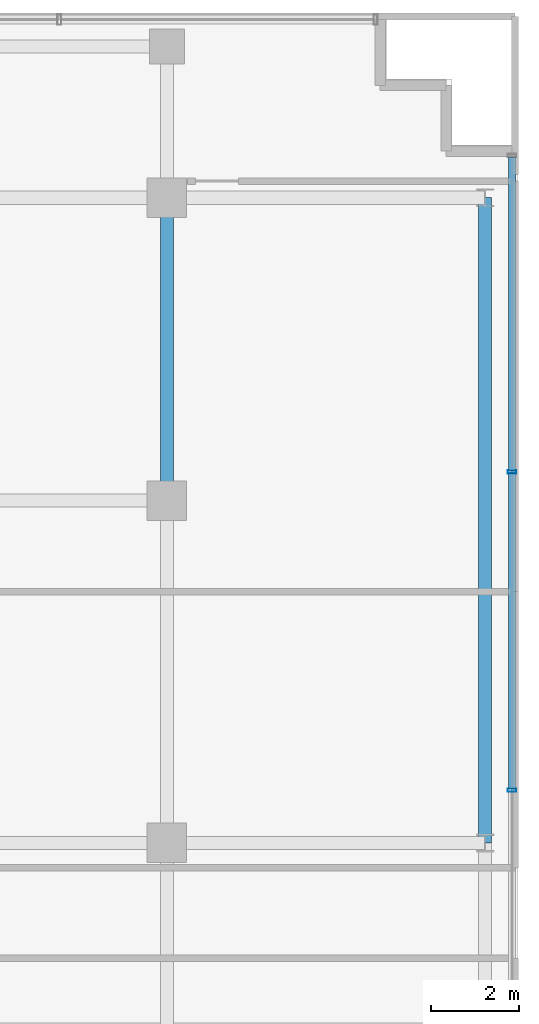
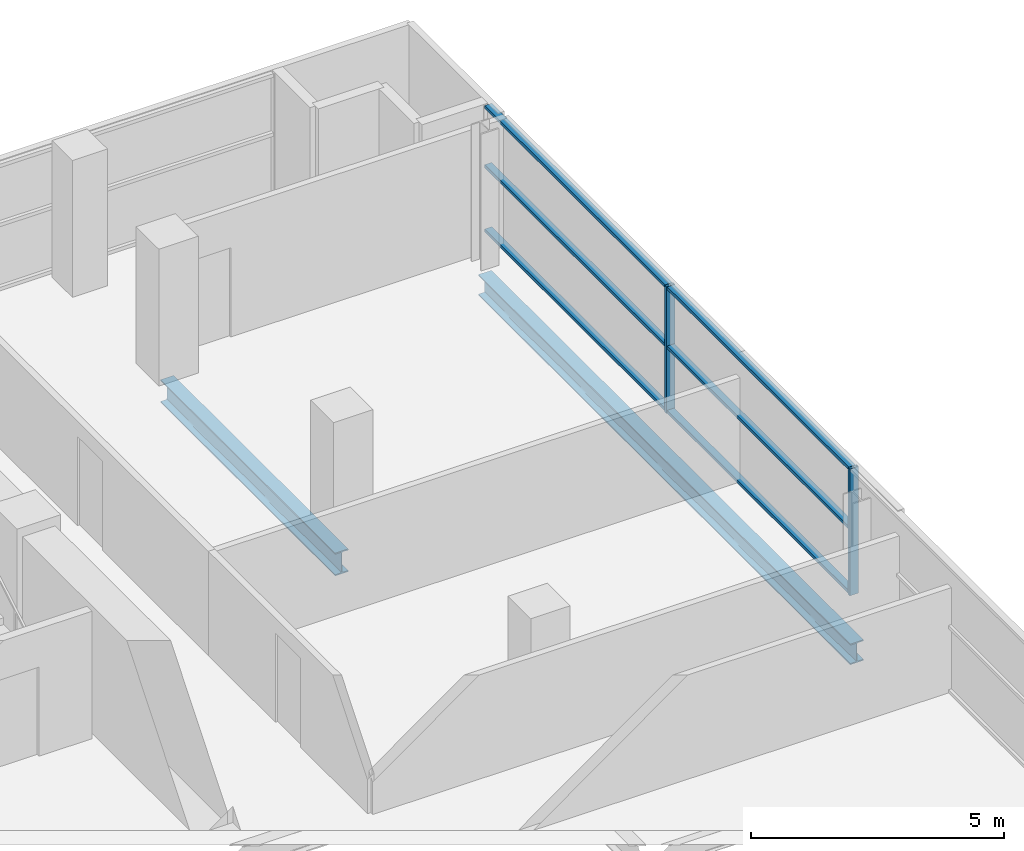
# One storey, part 9 of 23: 8 members, 2 beams, 1 element without a shape of its own.
"""IFC4 building model written with IfcOpenShell, lengths in metres."""

from ifc_helpers import new_model, si_unit, direction, frame, origin, origin_2d, place, context, subcontext, project, spatial, hollow_rectangle, i_section, extrude, source, transform, mapped, material, layer, layer_set, material_profile, profile_set, type_object, element, aggregate, save


model = new_model("IFC4")

# Units and contexts
model_context = context("Model", 3, precision=1e-05, world=origin(), true_north=direction((0.0, 1.0)))
body_context = subcontext(model_context, "Body", "Model", "MODEL_VIEW")
ifc_project = project(units=[si_unit("LENGTHUNIT", "METRE"), si_unit("AREAUNIT", "SQUARE_METRE"), si_unit("VOLUMEUNIT", "CUBIC_METRE"), si_unit("PLANEANGLEUNIT", "RADIAN"), si_unit("MASSUNIT", "GRAM", prefix="KILO")], contexts=[model_context])

# Site, building, storey
site_placement = place(None, origin())
site = spatial("IfcSite", under=ifc_project, at=site_placement, CompositionType="ELEMENT")
building_placement = place(site_placement, origin())
building = spatial("IfcBuilding", under=site, at=building_placement, Name="Zarnakvel Exchange Tower", CompositionType="ELEMENT")
storey_placement = place(building_placement, frame((0.0, 0.0, 116.5)))
storey = spatial("IfcBuildingStorey", under=building, at=storey_placement, Name="L32", CompositionType="ELEMENT", Elevation=116.5)

# Beams
ifc_material_1 = material(Name="Steel S355", Category="steel")
ifc_material_profile_1 = material_profile(ifc_material_1, i_section(OverallWidth=0.300048828125, OverallDepth=0.550048828125, WebThickness=0.014892578125, FlangeThickness=0.029052734375, FilletRadius=0.027099609375, at=origin_2d()))
ifc_profile_set_1 = profile_set([ifc_material_profile_1], Name="Steel S355")
beam_type_1 = type_object("IfcBeamType", Name="G-05", PredefinedType="BEAM", material=ifc_profile_set_1)
beam_1_placement = place(storey_placement, frame((21.60009765625, 6.60009765625, -0.5), z_axis=(0.0, 1.0, 0.0), x_axis=(-1.0, 0.0, 0.0)))
element("IfcBeam", 1, at=beam_1_placement, inside=storey, type_object=beam_type_1, Name="L32 Tower N-S Frame Beam", PredefinedType="BEAM", context=body_context, shape_type="SweptSolid", body=[
    extrude(i_section(OverallWidth=0.300048828125, OverallDepth=0.550048828125, WebThickness=0.014892578125, FlangeThickness=0.029052734375, FilletRadius=0.027099609375, at=origin_2d()), origin(), (0.0, 0.0, 1.0), 6.89990234375),
])
ifc_material_profile_2 = material_profile(ifc_material_1, i_section(OverallWidth=0.300048828125, OverallDepth=0.5, WebThickness=0.014404296875, FlangeThickness=0.028076171875, FilletRadius=0.027099609375, at=origin_2d()))
ifc_profile_set_2 = profile_set([ifc_material_profile_2], Name="Steel S355")
beam_type_2 = type_object("IfcBeamType", Name="SP-02", PredefinedType="SPANDREL", material=ifc_profile_set_2)
beam_2_placement = place(storey_placement, frame((28.85009765625, -1.199951171875, -0.47509765625), z_axis=(0.0, 1.0, 0.0), x_axis=(-1.0, 0.0, 0.0)))
element("IfcBeam", 2, at=beam_2_placement, inside=storey, type_object=beam_type_2, Name="L32 Tower N-S Frame Beam", PredefinedType="SPANDREL", context=body_context, shape_type="SweptSolid", body=[
    extrude(i_section(OverallWidth=0.300048828125, OverallDepth=0.5, WebThickness=0.014404296875, FlangeThickness=0.028076171875, FilletRadius=0.027099609375, at=origin_2d()), origin(), (0.0, 0.0, 1.0), 14.699951171875),
])

# Curtain wall, members
ifc_material_2 = material(Name="Architectural Bronze Anodised Aluminium", Category="aluminium")
ifc_layer = layer(ifc_material_2, 0.199951171875)
ifc_layer_set = layer_set([ifc_layer], Name="Architectural Bronze Anodised Aluminium")
curtain_wall_type = type_object("IfcCurtainWallType", Name="CW-04", PredefinedType="NOTDEFINED", material=ifc_layer_set)
curtain_wall_placement = place(storey_placement, origin())
curtain_wall = element("IfcCurtainWall", 3, at=curtain_wall_placement, inside=storey, type_object=curtain_wall_type, Name="L32 Curtain Wall CW-L32-E1 (CW-04)", PredefinedType="NOTDEFINED")
ifc_material_profile_3 = material_profile(ifc_material_2, hollow_rectangle(XDim=0.199951171875, YDim=0.074951171875, WallThickness=0.0048828125, at=origin_2d()))
ifc_profile_set_3 = profile_set([ifc_material_profile_3], Name="Architectural Bronze Anodised Aluminium")
member_type_1 = type_object("IfcMemberType", Name="CWM-04", PredefinedType="MULLION", material=ifc_profile_set_3)
shared_shape_1 = source(origin(), body_context, "Body", "SweptSolid", [
    extrude(hollow_rectangle(XDim=0.199951171875, YDim=0.074951171875, WallThickness=0.0048828125, at=origin_2d()), origin(), (0.0, 0.0, 1.0), 3.054931640625),
])
member_1_placement = place(storey_placement, frame((29.4599609375, 0.0, 0.0), z_axis=(0.0, 0.0, 1.0), x_axis=(-1.0, 0.0, 0.0)))
member_1 = element("IfcMember", 4, at=member_1_placement, type_object=member_type_1, Name="CW-04 mullion 3", PredefinedType="MULLION", context=body_context, shape_type="MappedRepresentation", body=[
    mapped(shared_shape_1, transform((0.0, 0.0, 0.0), x_axis=(1.0, 0.0, 0.0), y_axis=(0.0, 1.0, 0.0), z_axis=(0.0, 0.0, 1.0), scale=1.0)),
])
member_2_placement = place(storey_placement, frame((29.4599609375, 7.25, 0.0), z_axis=(0.0, 0.0, 1.0), x_axis=(-1.0, 0.0, 0.0)))
member_2 = element("IfcMember", 5, at=member_2_placement, type_object=member_type_1, Name="CW-04 mullion 4", PredefinedType="MULLION", context=body_context, shape_type="MappedRepresentation", body=[
    mapped(shared_shape_1, transform((0.0, 0.0, 0.0), x_axis=(1.0, 0.0, 0.0), y_axis=(0.0, 1.0, 0.0), z_axis=(0.0, 0.0, 1.0), scale=1.0)),
])
ifc_material_profile_4 = material_profile(ifc_material_2, hollow_rectangle(XDim=0.159912109375, YDim=0.074951171875, WallThickness=0.00390625, at=origin_2d()))
ifc_profile_set_4 = profile_set([ifc_material_profile_4], Name="Architectural Bronze Anodised Aluminium")
member_type_2 = type_object("IfcMemberType", Name="CWT-04", PredefinedType="USERDEFINED", material=ifc_profile_set_4)
shared_shape_2 = source(origin(), body_context, "Body", "SweptSolid", [
    extrude(hollow_rectangle(XDim=0.159912109375, YDim=0.074951171875, WallThickness=0.00390625, at=origin_2d()), origin(), (0.0, 0.0, 1.0), 7.137451171875),
])
member_3_placement = place(storey_placement, frame((29.4599609375, 7.28759765625, 0.03759765625), z_axis=(0.0, 1.0, 0.0), x_axis=(-1.0, 0.0, 0.0)))
member_3 = element("IfcMember", 6, at=member_3_placement, type_object=member_type_2, Name="CW-04 transom 4.1", ObjectType="TRANSOM", PredefinedType="USERDEFINED", context=body_context, shape_type="MappedRepresentation", body=[
    mapped(shared_shape_2, transform((0.0, 0.0, 0.0), x_axis=(1.0, 0.0, 0.0), y_axis=(0.0, 1.0, 0.0), z_axis=(0.0, 0.0, 1.0), scale=1.0)),
])
member_4_placement = place(storey_placement, frame((29.4599609375, 7.28759765625, 1.588623046875), z_axis=(0.0, 1.0, 0.0), x_axis=(-1.0, 0.0, 0.0)))
member_4 = element("IfcMember", 7, at=member_4_placement, type_object=member_type_2, Name="CW-04 transom 4.2", ObjectType="TRANSOM", PredefinedType="USERDEFINED", context=body_context, shape_type="MappedRepresentation", body=[
    mapped(shared_shape_2, transform((0.0, 0.0, 0.0), x_axis=(1.0, 0.0, 0.0), y_axis=(0.0, 1.0, 0.0), z_axis=(0.0, 0.0, 1.0), scale=1.0)),
])
member_5_placement = place(storey_placement, frame((29.4599609375, 7.28759765625, 3.017578125), z_axis=(0.0, 1.0, 0.0), x_axis=(-1.0, 0.0, 0.0)))
member_5 = element("IfcMember", 8, at=member_5_placement, type_object=member_type_2, Name="CW-04 transom 4.3", ObjectType="TRANSOM", PredefinedType="USERDEFINED", context=body_context, shape_type="MappedRepresentation", body=[
    mapped(shared_shape_2, transform((0.0, 0.0, 0.0), x_axis=(1.0, 0.0, 0.0), y_axis=(0.0, 1.0, 0.0), z_axis=(0.0, 0.0, 1.0), scale=1.0)),
])
shared_shape_3 = source(origin(), body_context, "Body", "SweptSolid", [
    extrude(hollow_rectangle(XDim=0.159912109375, YDim=0.074951171875, WallThickness=0.00390625, at=origin_2d()), origin(), (0.0, 0.0, 1.0), 7.1748046875),
])
member_6_placement = place(storey_placement, frame((29.4599609375, 0.03759765625, 0.03759765625), z_axis=(0.0, 1.0, 0.0), x_axis=(-1.0, 0.0, 0.0)))
member_6 = element("IfcMember", 9, at=member_6_placement, type_object=member_type_2, Name="CW-04 transom 3.1", ObjectType="TRANSOM", PredefinedType="USERDEFINED", context=body_context, shape_type="MappedRepresentation", body=[
    mapped(shared_shape_3, transform((0.0, 0.0, 0.0), x_axis=(1.0, 0.0, 0.0), y_axis=(0.0, 1.0, 0.0), z_axis=(0.0, 0.0, 1.0), scale=1.0)),
])
member_7_placement = place(storey_placement, frame((29.4599609375, 0.03759765625, 1.588623046875), z_axis=(0.0, 1.0, 0.0), x_axis=(-1.0, 0.0, 0.0)))
member_7 = element("IfcMember", 10, at=member_7_placement, type_object=member_type_2, Name="CW-04 transom 3.2", ObjectType="TRANSOM", PredefinedType="USERDEFINED", context=body_context, shape_type="MappedRepresentation", body=[
    mapped(shared_shape_3, transform((0.0, 0.0, 0.0), x_axis=(1.0, 0.0, 0.0), y_axis=(0.0, 1.0, 0.0), z_axis=(0.0, 0.0, 1.0), scale=1.0)),
])
member_8_placement = place(storey_placement, frame((29.4599609375, 0.03759765625, 3.017578125), z_axis=(0.0, 1.0, 0.0), x_axis=(-1.0, 0.0, 0.0)))
member_8 = element("IfcMember", 11, at=member_8_placement, type_object=member_type_2, Name="CW-04 transom 3.3", ObjectType="TRANSOM", PredefinedType="USERDEFINED", context=body_context, shape_type="MappedRepresentation", body=[
    mapped(shared_shape_3, transform((0.0, 0.0, 0.0), x_axis=(1.0, 0.0, 0.0), y_axis=(0.0, 1.0, 0.0), z_axis=(0.0, 0.0, 1.0), scale=1.0)),
])
aggregate(curtain_wall, [member_1, member_2, member_6, member_7, member_8, member_3, member_4, member_5])

save(model, "model.ifc")
